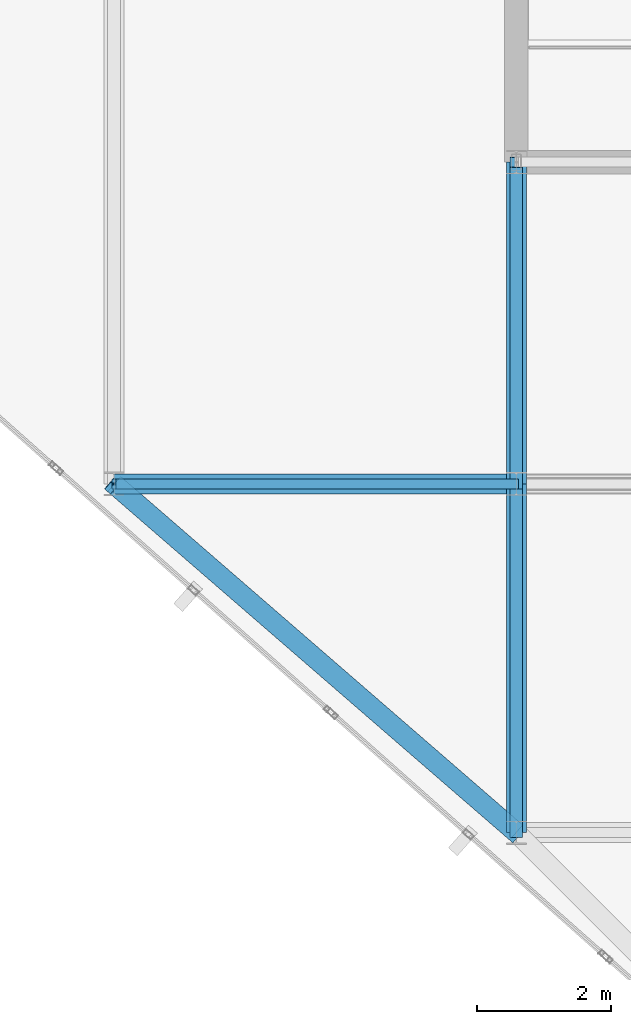
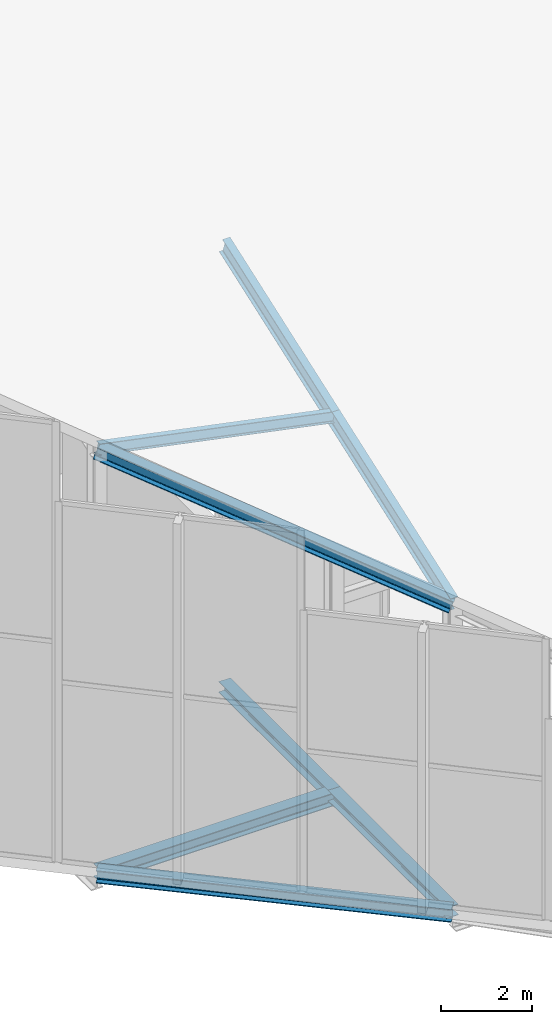
# One storey, part 7 of 74: 5 beams, 3 members.
"""IFC4 building model written with IfcOpenShell, lengths in metres."""

from ifc_helpers import new_model, si_unit, direction, frame, origin, origin_2d, place, context, subcontext, project, spatial, i_section, extrude, material, material_profile, profile_set, type_object, element, save


model = new_model("IFC4")

# Units and contexts
model_context = context("Model", 3, precision=1e-05, world=origin(), true_north=direction((0.0, 1.0)))
body_context = subcontext(model_context, "Body", "Model", "MODEL_VIEW")
ifc_project = project(units=[si_unit("LENGTHUNIT", "METRE"), si_unit("AREAUNIT", "SQUARE_METRE"), si_unit("VOLUMEUNIT", "CUBIC_METRE"), si_unit("PLANEANGLEUNIT", "RADIAN"), si_unit("MASSUNIT", "GRAM", prefix="KILO")], contexts=[model_context])

# Site, building, storey
site_placement = place(None, origin())
site = spatial("IfcSite", under=ifc_project, at=site_placement, CompositionType="ELEMENT")
building_placement = place(site_placement, origin())
building = spatial("IfcBuilding", under=site, at=building_placement, Name="Keshet Zoharim Tower", CompositionType="ELEMENT")
storey_placement = place(building_placement, frame((0.0, 0.0, 320.0)))
storey = spatial("IfcBuildingStorey", under=building, at=storey_placement, Name="RF", CompositionType="ELEMENT", Elevation=320.0)

# Beams
ifc_material = material(Name="Steel S355", Category="steel")
ifc_material_profile_1 = material_profile(ifc_material, i_section(OverallWidth=0.300048828125, OverallDepth=0.2900390625, WebThickness=0.008544921875, FlangeThickness=0.013916015625, FilletRadius=0.027099609375, at=origin_2d()), Name="HEA300")
ifc_profile_set_1 = profile_set([ifc_material_profile_1], Name="Steel S355")
beam_type_1 = type_object("IfcBeamType", Name="BM-PRI-HA300", PredefinedType="BEAM", material=ifc_profile_set_1)
beam_1_placement = place(storey_placement, frame((15.0, 12.699951171875, -0.455078125), z_axis=(0.0, 1.0, 0.0), x_axis=(-1.0, 0.0, 0.0)))
element("IfcBeam", 1, at=beam_1_placement, inside=storey, type_object=beam_type_1, Name="RF Primary Girder Y-002", PredefinedType="BEAM", context=body_context, shape_type="SweptSolid", body=[
    extrude(i_section(OverallWidth=0.300048828125, OverallDepth=0.2900390625, WebThickness=0.008544921875, FlangeThickness=0.013916015625, FilletRadius=0.027099609375, at=origin_2d()), origin(), (0.0, 0.0, 1.0), 5.199951171875),
])
beam_2_placement = place(storey_placement, frame((15.0, 17.89990234375, -0.455078125), z_axis=(0.0, 1.0, 0.0), x_axis=(-1.0, 0.0, 0.0)))
element("IfcBeam", 2, at=beam_2_placement, inside=storey, type_object=beam_type_1, Name="RF Primary Girder Y-003", PredefinedType="BEAM", context=body_context, shape_type="SweptSolid", body=[
    extrude(i_section(OverallWidth=0.300048828125, OverallDepth=0.2900390625, WebThickness=0.008544921875, FlangeThickness=0.013916015625, FilletRadius=0.027099609375, at=origin_2d()), origin(), (0.0, 0.0, 1.0), 4.800048828125),
])
ifc_material_profile_2 = material_profile(ifc_material, i_section(OverallWidth=0.300048828125, OverallDepth=0.35009765625, WebThickness=0.010009765625, FlangeThickness=0.017578125, FilletRadius=0.027099609375, at=origin_2d()), Name="HEA360")
ifc_profile_set_2 = profile_set([ifc_material_profile_2], Name="Steel S355")
beam_type_2 = type_object("IfcBeamType", Name="BM-PRI-HA360", PredefinedType="BEAM", material=ifc_profile_set_2)
beam_3_placement = place(storey_placement, frame((9.0, 17.89990234375, -0.485107421875), z_axis=(1.0, 0.0, 0.0), x_axis=(0.0, 1.0, 0.0)))
element("IfcBeam", 3, at=beam_3_placement, inside=storey, type_object=beam_type_2, Name="RF Primary Girder X-005", PredefinedType="BEAM", context=body_context, shape_type="SweptSolid", body=[
    extrude(i_section(OverallWidth=0.300048828125, OverallDepth=0.35009765625, WebThickness=0.010009765625, FlangeThickness=0.017578125, FilletRadius=0.027099609375, at=origin_2d()), origin(), (0.0, 0.0, 1.0), 6.0),
])
ifc_material_profile_3 = material_profile(ifc_material, i_section(OverallWidth=0.300048828125, OverallDepth=0.340087890625, WebThickness=0.011962890625, FlangeThickness=0.021484375, FilletRadius=0.027099609375, at=origin_2d()), Name="HEB340")
ifc_profile_set_3 = profile_set([ifc_material_profile_3], Name="Steel S355")
beam_type_3 = type_object("IfcBeamType", Name="BM-SPN-HB340", PredefinedType="SPANDREL", material=ifc_profile_set_3)
beam_4_placement = place(storey_placement, frame((9.0, 17.89990234375, -0.47998046875), z_axis=(0.755692126483, -0.654927026447, 0.0), x_axis=(0.654927026447, 0.755692126483, 0.0)))
element("IfcBeam", 4, at=beam_4_placement, inside=storey, type_object=beam_type_3, Name="RF Perimeter Spandrel Beam 02", PredefinedType="SPANDREL", context=body_context, shape_type="SweptSolid", body=[
    extrude(i_section(OverallWidth=0.300048828125, OverallDepth=0.340087890625, WebThickness=0.011962890625, FlangeThickness=0.021484375, FilletRadius=0.027099609375, at=origin_2d()), origin(), (0.0, 0.0, 1.0), 7.939697265625),
])
beam_5_placement = place(storey_placement, frame((15.0, 12.699951171875, 7.7802734375), z_axis=(-0.704609160459, 0.610655538274, 0.361421837433), x_axis=(-0.654927026447, -0.755692126483, 0.0)))
element("IfcBeam", 5, at=beam_5_placement, inside=storey, type_object=beam_type_3, Name="Crown Sloped Perimeter Ring Beam 07", PredefinedType="SPANDREL", context=body_context, shape_type="SweptSolid", body=[
    extrude(i_section(OverallWidth=0.300048828125, OverallDepth=0.340087890625, WebThickness=0.011962890625, FlangeThickness=0.021484375, FilletRadius=0.027099609375, at=origin_2d()), origin(), (0.0, 0.0, 1.0), 8.515380859375),
])

# Members
ifc_material_profile_4 = material_profile(ifc_material, i_section(OverallWidth=0.14990234375, OverallDepth=0.300048828125, WebThickness=0.007080078125, FlangeThickness=0.0107421875, FilletRadius=0.014892578125, at=origin_2d()), Name="IPE300")
ifc_profile_set_4 = profile_set([ifc_material_profile_4], Name="Steel S355")
member_type_1 = type_object("IfcMemberType", Name="MB-PUR-IP300", PredefinedType="PURLIN", material=ifc_profile_set_4)
member_1_placement = place(storey_placement, frame((9.0, 17.89990234375, 10.89794921875), z_axis=(0.979831468779, 0.0, -0.199825655986), x_axis=(0.0, 1.0, 0.0)))
element("IfcMember", 6, at=member_1_placement, inside=storey, type_object=member_type_1, Name="Crown Roof Purlin 02", PredefinedType="PURLIN", context=body_context, shape_type="SweptSolid", body=[
    extrude(i_section(OverallWidth=0.14990234375, OverallDepth=0.300048828125, WebThickness=0.007080078125, FlangeThickness=0.0107421875, FilletRadius=0.014892578125, at=origin_2d()), origin(), (0.0, 0.0, 1.0), 6.12353515625),
])
ifc_material_profile_5 = material_profile(ifc_material, i_section(OverallWidth=0.18994140625, OverallDepth=0.449951171875, WebThickness=0.009521484375, FlangeThickness=0.0146484375, FilletRadius=0.02099609375, at=origin_2d()), Name="IPE450")
ifc_profile_set_5 = profile_set([ifc_material_profile_5], Name="Steel S355")
member_type_2 = type_object("IfcMemberType", Name="MB-RAF-IP450", PredefinedType="RAFTER", material=ifc_profile_set_5)
member_2_placement = place(storey_placement, frame((15.0, 12.699951171875, 7.7802734375), z_axis=(0.0, 0.941920874115, 0.335834880418), x_axis=(-1.0, 0.0, 0.0)))
element("IfcMember", 7, at=member_2_placement, inside=storey, type_object=member_type_2, Name="Crown Raking Rafter 02", PredefinedType="RAFTER", context=body_context, shape_type="SweptSolid", body=[
    extrude(i_section(OverallWidth=0.18994140625, OverallDepth=0.449951171875, WebThickness=0.009521484375, FlangeThickness=0.0146484375, FilletRadius=0.02099609375, at=origin_2d()), origin(), (0.0, 0.0, 1.0), 5.5205078125),
])
member_3_placement = place(storey_placement, frame((15.0, 17.89990234375, 9.63427734375), z_axis=(0.0, 0.941920620813, 0.33583559086), x_axis=(-1.0, 0.0, 0.0)))
element("IfcMember", 8, at=member_3_placement, inside=storey, type_object=member_type_2, Name="Crown Raking Rafter 03", PredefinedType="RAFTER", context=body_context, shape_type="SweptSolid", body=[
    extrude(i_section(OverallWidth=0.18994140625, OverallDepth=0.449951171875, WebThickness=0.009521484375, FlangeThickness=0.0146484375, FilletRadius=0.02099609375, at=origin_2d()), origin(), (0.0, 0.0, 1.0), 5.095947265625),
])

save(model, "model.ifc")
